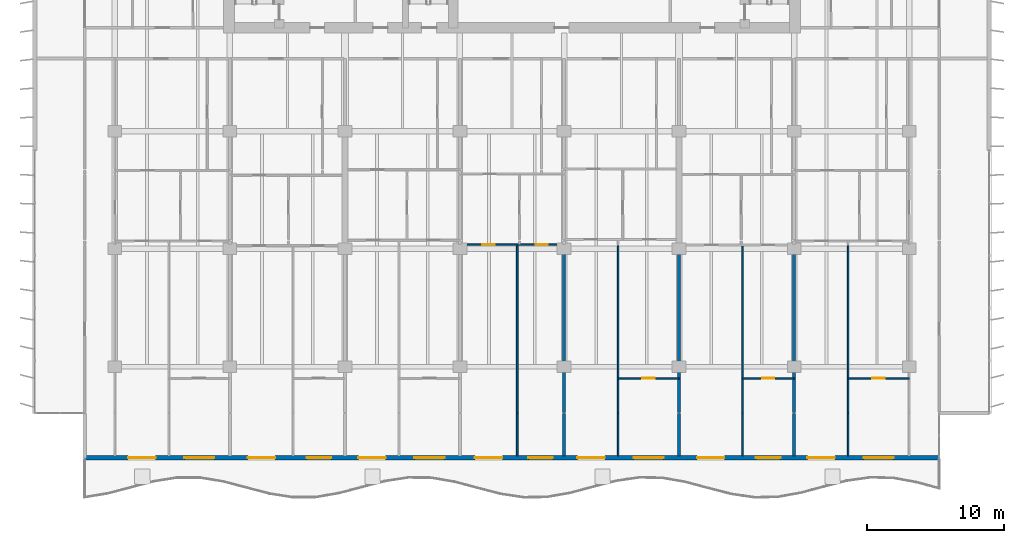
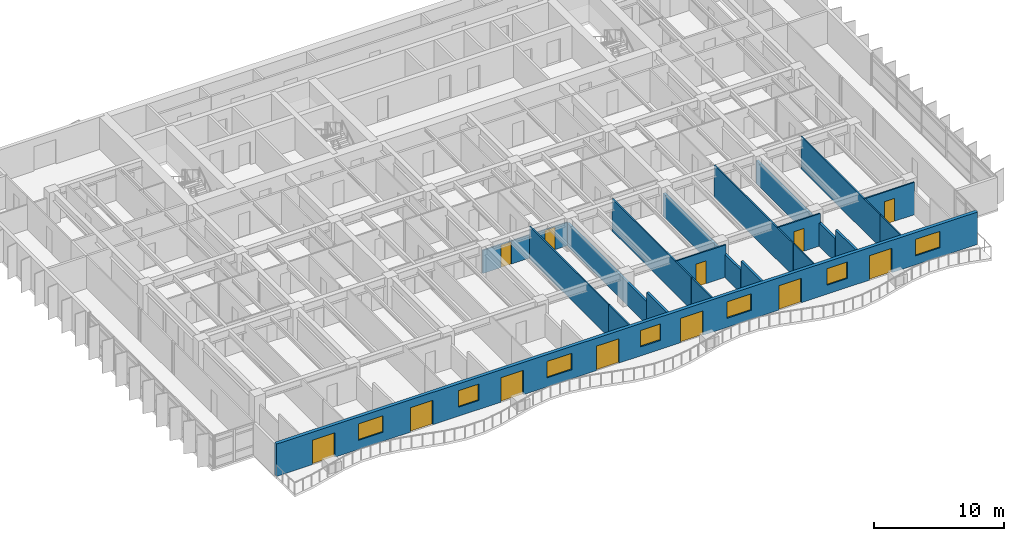
# One storey, part 8 of 18: 19 walls, 12 doors, 7 windows, 19 openings.
"""IFC4 building model written with IfcOpenShell, lengths in metres."""

from ifc_helpers import new_model, si_unit, direction, frame, frame_2d, origin, place, context, subcontext, project, spatial, rectangle, extrude, material, layer, layer_set, type_object, element, fill, save


model = new_model("IFC4")

# Units and contexts
model_context = context("Model", 3, precision=1e-05, world=origin(), true_north=direction((0.0, 1.0)))
body_context = subcontext(model_context, "Body", "Model", "MODEL_VIEW")
ifc_project = project(units=[si_unit("LENGTHUNIT", "METRE"), si_unit("AREAUNIT", "SQUARE_METRE"), si_unit("VOLUMEUNIT", "CUBIC_METRE"), si_unit("PLANEANGLEUNIT", "RADIAN"), si_unit("MASSUNIT", "GRAM", prefix="KILO")], contexts=[model_context])

# Site, building, storey
site_placement = place(None, origin())
site = spatial("IfcSite", under=ifc_project, at=site_placement, CompositionType="ELEMENT")
building_placement = place(site_placement, origin())
building = spatial("IfcBuilding", under=site, at=building_placement, Name="Caelmar Bay Residences", CompositionType="ELEMENT")
storey_placement = place(building_placement, frame((0.0, 0.0, 125.699951171875)))
storey = spatial("IfcBuildingStorey", under=building, at=storey_placement, Name="L34", CompositionType="ELEMENT", Elevation=125.699951171875)

# Wall, openings, doors, windows
ifc_material_1 = material(Name="Precast concrete f'c 40 MPa (6,000 psi)", Category="concrete")
ifc_layer_1 = layer(ifc_material_1, 0.300048828125)
ifc_layer_set_1 = layer_set([ifc_layer_1], Name="Precast concrete f'c 40 MPa (6,000 psi)")
wall_type_1 = type_object("IfcWallType", Name="W-EXT-300", PredefinedType="STANDARD", material=ifc_layer_set_1)
wall_1_placement = place(storey_placement, frame((70.10009765625, 5.550048828125, 0.0), z_axis=(0.0, 0.0, 1.0), x_axis=(-1.0, 0.0, 0.0)))
wall_1 = element("IfcWall", 1, at=wall_1_placement, inside=storey, type_object=wall_type_1, Name="L34 South Bayfront Exterior Wall", PredefinedType="STANDARD", context=body_context, shape_type="SweptSolid", body=[
    extrude(rectangle(XDim=62.400146484375, YDim=0.300048828125, at=frame_2d((31.2001953125, 0.0))), origin(), (0.0, 0.0, 1.0), 3.050048828125),
])
opening_1_placement = place(wall_1_placement, frame((57.22607421875, 0.0, 0.0)))
opening_1 = element("IfcOpeningElement", 2, at=opening_1_placement, cuts=wall_1, Name="Opening L34-BD01", PredefinedType="OPENING", context=body_context, shape_type="SweptSolid", body=[
    extrude(rectangle(XDim=2.0, YDim=2.300048828125, at=frame_2d((1.0, 1.14990234375))), frame((0.0, 0.159912109375, 0.0), z_axis=(0.0, -1.0, 0.0), x_axis=(1.0, 0.0, 0.0)), (0.0, 0.0, 1.0), 0.320068359375),
])
opening_2_placement = place(wall_1_placement, frame((52.926025390625, 0.0, 0.85009765625)))
opening_2 = element("IfcOpeningElement", 3, at=opening_2_placement, cuts=wall_1, Name="Opening WN2", PredefinedType="OPENING", context=body_context, shape_type="SweptSolid", body=[
    extrude(rectangle(XDim=2.199951171875, YDim=1.550048828125, at=frame_2d((1.10009765625, 0.77490234375))), frame((0.0, 0.159912109375, 0.0), z_axis=(0.0, -1.0, 0.0), x_axis=(1.0, 0.0, 0.0)), (0.0, 0.0, 1.0), 0.320068359375),
])
opening_3_placement = place(wall_1_placement, frame((48.489990234375, 0.0, 0.0)))
opening_3 = element("IfcOpeningElement", 4, at=opening_3_placement, cuts=wall_1, Name="Opening L34-BD02", PredefinedType="OPENING", context=body_context, shape_type="SweptSolid", body=[
    extrude(rectangle(XDim=2.0, YDim=2.300048828125, at=frame_2d((1.0, 1.14990234375))), frame((0.0, 0.159912109375, 0.0), z_axis=(0.0, -1.0, 0.0), x_axis=(1.0, 0.0, 0.0)), (0.0, 0.0, 1.0), 0.320068359375),
])
opening_4_placement = place(wall_1_placement, frame((44.389892578125, 0.0, 0.85009765625)))
opening_4 = element("IfcOpeningElement", 5, at=opening_4_placement, cuts=wall_1, Name="Opening WN1", PredefinedType="OPENING", context=body_context, shape_type="SweptSolid", body=[
    extrude(rectangle(XDim=1.800048828125, YDim=1.550048828125, at=frame_2d((0.89990234375, 0.77490234375))), frame((0.0, 0.159912109375, 0.0), z_axis=(0.0, -1.0, 0.0), x_axis=(1.0, 0.0, 0.0)), (0.0, 0.0, 1.0), 0.320068359375),
])
opening_5_placement = place(wall_1_placement, frame((40.426025390625, 0.0, 0.0)))
opening_5 = element("IfcOpeningElement", 6, at=opening_5_placement, cuts=wall_1, Name="Opening L34-BD03", PredefinedType="OPENING", context=body_context, shape_type="SweptSolid", body=[
    extrude(rectangle(XDim=2.0, YDim=2.300048828125, at=frame_2d((1.0, 1.14990234375))), frame((0.0, 0.159912109375, 0.0), z_axis=(0.0, -1.0, 0.0), x_axis=(1.0, 0.0, 0.0)), (0.0, 0.0, 1.0), 0.320068359375),
])
opening_6_placement = place(wall_1_placement, frame((36.1259765625, 0.0, 0.85009765625)))
opening_6 = element("IfcOpeningElement", 7, at=opening_6_placement, cuts=wall_1, Name="Opening WN2", PredefinedType="OPENING", context=body_context, shape_type="SweptSolid", body=[
    extrude(rectangle(XDim=2.199951171875, YDim=1.550048828125, at=frame_2d((1.10009765625, 0.77490234375))), frame((0.0, 0.159912109375, 0.0), z_axis=(0.0, -1.0, 0.0), x_axis=(1.0, 0.0, 0.0)), (0.0, 0.0, 1.0), 0.320068359375),
])
opening_7_placement = place(wall_1_placement, frame((31.909912109375, 0.0, 0.0)))
opening_7 = element("IfcOpeningElement", 8, at=opening_7_placement, cuts=wall_1, Name="Opening L34-BD04", PredefinedType="OPENING", context=body_context, shape_type="SweptSolid", body=[
    extrude(rectangle(XDim=2.0, YDim=2.300048828125, at=frame_2d((1.0, 1.14990234375))), frame((0.0, 0.159912109375, 0.0), z_axis=(0.0, -1.0, 0.0), x_axis=(1.0, 0.0, 0.0)), (0.0, 0.0, 1.0), 0.320068359375),
])
opening_8_placement = place(wall_1_placement, frame((28.2099609375, 0.0, 0.85009765625)))
opening_8 = element("IfcOpeningElement", 9, at=opening_8_placement, cuts=wall_1, Name="Opening WN1", PredefinedType="OPENING", context=body_context, shape_type="SweptSolid", body=[
    extrude(rectangle(XDim=1.800048828125, YDim=1.550048828125, at=frame_2d((0.89990234375, 0.77490234375))), frame((0.0, 0.159912109375, 0.0), z_axis=(0.0, -1.0, 0.0), x_axis=(1.0, 0.0, 0.0)), (0.0, 0.0, 1.0), 0.320068359375),
])
opening_9_placement = place(wall_1_placement, frame((24.426025390625, 0.0, 0.0)))
opening_9 = element("IfcOpeningElement", 10, at=opening_9_placement, cuts=wall_1, Name="Opening L34-BD05", PredefinedType="OPENING", context=body_context, shape_type="SweptSolid", body=[
    extrude(rectangle(XDim=2.0, YDim=2.300048828125, at=frame_2d((1.0, 1.14990234375))), frame((0.0, 0.159912109375, 0.0), z_axis=(0.0, -1.0, 0.0), x_axis=(1.0, 0.0, 0.0)), (0.0, 0.0, 1.0), 0.320068359375),
])
opening_10_placement = place(wall_1_placement, frame((20.1259765625, 0.0, 0.85009765625)))
opening_10 = element("IfcOpeningElement", 11, at=opening_10_placement, cuts=wall_1, Name="Opening WN2", PredefinedType="OPENING", context=body_context, shape_type="SweptSolid", body=[
    extrude(rectangle(XDim=2.199951171875, YDim=1.550048828125, at=frame_2d((1.10009765625, 0.77490234375))), frame((0.0, 0.159912109375, 0.0), z_axis=(0.0, -1.0, 0.0), x_axis=(1.0, 0.0, 0.0)), (0.0, 0.0, 1.0), 0.320068359375),
])
opening_11_placement = place(wall_1_placement, frame((15.68994140625, 0.0, 0.0)))
opening_11 = element("IfcOpeningElement", 12, at=opening_11_placement, cuts=wall_1, Name="Opening L34-BD06", PredefinedType="OPENING", context=body_context, shape_type="SweptSolid", body=[
    extrude(rectangle(XDim=2.0, YDim=2.300048828125, at=frame_2d((1.0, 1.14990234375))), frame((0.0, 0.159912109375, 0.0), z_axis=(0.0, -1.0, 0.0), x_axis=(1.0, 0.0, 0.0)), (0.0, 0.0, 1.0), 0.320068359375),
])
opening_12_placement = place(wall_1_placement, frame((11.590087890625, 0.0, 0.85009765625)))
opening_12 = element("IfcOpeningElement", 13, at=opening_12_placement, cuts=wall_1, Name="Opening WN1", PredefinedType="OPENING", context=body_context, shape_type="SweptSolid", body=[
    extrude(rectangle(XDim=1.800048828125, YDim=1.550048828125, at=frame_2d((0.89990234375, 0.77490234375))), frame((0.0, 0.159912109375, 0.0), z_axis=(0.0, -1.0, 0.0), x_axis=(1.0, 0.0, 0.0)), (0.0, 0.0, 1.0), 0.320068359375),
])
opening_13_placement = place(wall_1_placement, frame((7.6259765625, 0.0, 0.0)))
opening_13 = element("IfcOpeningElement", 14, at=opening_13_placement, cuts=wall_1, Name="Opening L34-BD07", PredefinedType="OPENING", context=body_context, shape_type="SweptSolid", body=[
    extrude(rectangle(XDim=2.0, YDim=2.300048828125, at=frame_2d((1.0, 1.14990234375))), frame((0.0, 0.159912109375, 0.0), z_axis=(0.0, -1.0, 0.0), x_axis=(1.0, 0.0, 0.0)), (0.0, 0.0, 1.0), 0.320068359375),
])
opening_14_placement = place(wall_1_placement, frame((3.325927734375, 0.0, 0.85009765625)))
opening_14 = element("IfcOpeningElement", 15, at=opening_14_placement, cuts=wall_1, Name="Opening WN2", PredefinedType="OPENING", context=body_context, shape_type="SweptSolid", body=[
    extrude(rectangle(XDim=2.199951171875, YDim=1.550048828125, at=frame_2d((1.10009765625, 0.77490234375))), frame((0.0, 0.159912109375, 0.0), z_axis=(0.0, -1.0, 0.0), x_axis=(1.0, 0.0, 0.0)), (0.0, 0.0, 1.0), 0.320068359375),
])
ifc_material_2 = material(Name="Anodised bronze thermally broken sliding glass door", Category="glass")
ifc_layer_2 = layer(ifc_material_2, 0.050048828125)
ifc_layer_set_2 = layer_set([ifc_layer_2], Name="Anodised bronze thermally broken sliding glass door")
door_type_1 = type_object("IfcDoorType", Name="D-BAL-2000", OperationType="DOUBLE_DOOR_SLIDING", PredefinedType="DOOR", material=ifc_layer_set_2)
door_1_placement = place(opening_1_placement, origin())
door_1 = element("IfcDoor", 16, at=door_1_placement, inside=storey, type_object=door_type_1, Name="L34 Residence 01 Living Room Balcony Door", OperationType="DOUBLE_DOOR_SLIDING", OverallHeight=2.300048828125, OverallWidth=2.0, PredefinedType="DOOR", context=body_context, shape_type="SweptSolid", body=[
    extrude(rectangle(XDim=2.0, YDim=2.300048828125, at=frame_2d((1.0, 1.14990234375))), frame((0.0, 0.02490234375, 0.0), z_axis=(0.0, -1.0, 0.0), x_axis=(1.0, 0.0, 0.0)), (0.0, 0.0, 1.0), 0.050048828125),
])
fill(opening_1, door_1)
door_2_placement = place(opening_3_placement, origin())
door_2 = element("IfcDoor", 17, at=door_2_placement, inside=storey, type_object=door_type_1, Name="L34 Residence 02 Living Room Balcony Door", OperationType="DOUBLE_DOOR_SLIDING", OverallHeight=2.300048828125, OverallWidth=2.0, PredefinedType="DOOR", context=body_context, shape_type="SweptSolid", body=[
    extrude(rectangle(XDim=2.0, YDim=2.300048828125, at=frame_2d((1.0, 1.14990234375))), frame((0.0, 0.02490234375, 0.0), z_axis=(0.0, -1.0, 0.0), x_axis=(1.0, 0.0, 0.0)), (0.0, 0.0, 1.0), 0.050048828125),
])
fill(opening_3, door_2)
door_3_placement = place(opening_5_placement, origin())
door_3 = element("IfcDoor", 18, at=door_3_placement, inside=storey, type_object=door_type_1, Name="L34 Residence 03 Living Room Balcony Door", OperationType="DOUBLE_DOOR_SLIDING", OverallHeight=2.300048828125, OverallWidth=2.0, PredefinedType="DOOR", context=body_context, shape_type="SweptSolid", body=[
    extrude(rectangle(XDim=2.0, YDim=2.300048828125, at=frame_2d((1.0, 1.14990234375))), frame((0.0, 0.02490234375, 0.0), z_axis=(0.0, -1.0, 0.0), x_axis=(1.0, 0.0, 0.0)), (0.0, 0.0, 1.0), 0.050048828125),
])
fill(opening_5, door_3)
door_4_placement = place(opening_7_placement, origin())
door_4 = element("IfcDoor", 19, at=door_4_placement, inside=storey, type_object=door_type_1, Name="L34 Residence 04 Living Room Balcony Door", OperationType="DOUBLE_DOOR_SLIDING", OverallHeight=2.300048828125, OverallWidth=2.0, PredefinedType="DOOR", context=body_context, shape_type="SweptSolid", body=[
    extrude(rectangle(XDim=2.0, YDim=2.300048828125, at=frame_2d((1.0, 1.14990234375))), frame((0.0, 0.02490234375, 0.0), z_axis=(0.0, -1.0, 0.0), x_axis=(1.0, 0.0, 0.0)), (0.0, 0.0, 1.0), 0.050048828125),
])
fill(opening_7, door_4)
door_5_placement = place(opening_9_placement, origin())
door_5 = element("IfcDoor", 20, at=door_5_placement, inside=storey, type_object=door_type_1, Name="L34 Residence 05 Living Room Balcony Door", OperationType="DOUBLE_DOOR_SLIDING", OverallHeight=2.300048828125, OverallWidth=2.0, PredefinedType="DOOR", context=body_context, shape_type="SweptSolid", body=[
    extrude(rectangle(XDim=2.0, YDim=2.300048828125, at=frame_2d((1.0, 1.14990234375))), frame((0.0, 0.02490234375, 0.0), z_axis=(0.0, -1.0, 0.0), x_axis=(1.0, 0.0, 0.0)), (0.0, 0.0, 1.0), 0.050048828125),
])
fill(opening_9, door_5)
door_6_placement = place(opening_11_placement, origin())
door_6 = element("IfcDoor", 21, at=door_6_placement, inside=storey, type_object=door_type_1, Name="L34 Residence 06 Living Room Balcony Door", OperationType="DOUBLE_DOOR_SLIDING", OverallHeight=2.300048828125, OverallWidth=2.0, PredefinedType="DOOR", context=body_context, shape_type="SweptSolid", body=[
    extrude(rectangle(XDim=2.0, YDim=2.300048828125, at=frame_2d((1.0, 1.14990234375))), frame((0.0, 0.02490234375, 0.0), z_axis=(0.0, -1.0, 0.0), x_axis=(1.0, 0.0, 0.0)), (0.0, 0.0, 1.0), 0.050048828125),
])
fill(opening_11, door_6)
door_7_placement = place(opening_13_placement, origin())
door_7 = element("IfcDoor", 22, at=door_7_placement, inside=storey, type_object=door_type_1, Name="L34 Residence 07 Living Room Balcony Door", OperationType="DOUBLE_DOOR_SLIDING", OverallHeight=2.300048828125, OverallWidth=2.0, PredefinedType="DOOR", context=body_context, shape_type="SweptSolid", body=[
    extrude(rectangle(XDim=2.0, YDim=2.300048828125, at=frame_2d((1.0, 1.14990234375))), frame((0.0, 0.02490234375, 0.0), z_axis=(0.0, -1.0, 0.0), x_axis=(1.0, 0.0, 0.0)), (0.0, 0.0, 1.0), 0.050048828125),
])
fill(opening_13, door_7)
ifc_material_3 = material(Name="Bronze aluminium frame with laminated low-E glass", Category="aluminium")
ifc_layer_3 = layer(ifc_material_3, 0.06005859375)
ifc_layer_set_3 = layer_set([ifc_layer_3], Name="Bronze aluminium frame with laminated low-E glass")
window_type_1 = type_object("IfcWindowType", Name="WIN-BR-1800", PartitioningType="SINGLE_PANEL", PredefinedType="WINDOW", material=ifc_layer_set_3)
window_1_placement = place(opening_4_placement, origin())
window_1 = element("IfcWindow", 23, at=window_1_placement, inside=storey, type_object=window_type_1, Name="L34 Residence 02 Primary Bedroom Window", OverallHeight=1.550048828125, OverallWidth=1.800048828125, PartitioningType="SINGLE_PANEL", PredefinedType="WINDOW", context=body_context, shape_type="SweptSolid", body=[
    extrude(rectangle(XDim=1.800048828125, YDim=1.550048828125, at=frame_2d((0.89990234375, 0.77490234375))), frame((0.0, 0.030029296875, 0.0), z_axis=(0.0, -1.0, 0.0), x_axis=(1.0, 0.0, 0.0)), (0.0, 0.0, 1.0), 0.06005859375),
])
fill(opening_4, window_1)
window_2_placement = place(opening_8_placement, origin())
window_2 = element("IfcWindow", 24, at=window_2_placement, inside=storey, type_object=window_type_1, Name="L34 Residence 04 Primary Bedroom Window", OverallHeight=1.550048828125, OverallWidth=1.800048828125, PartitioningType="SINGLE_PANEL", PredefinedType="WINDOW", context=body_context, shape_type="SweptSolid", body=[
    extrude(rectangle(XDim=1.800048828125, YDim=1.550048828125, at=frame_2d((0.89990234375, 0.77490234375))), frame((0.0, 0.030029296875, 0.0), z_axis=(0.0, -1.0, 0.0), x_axis=(1.0, 0.0, 0.0)), (0.0, 0.0, 1.0), 0.06005859375),
])
fill(opening_8, window_2)
window_3_placement = place(opening_12_placement, origin())
window_3 = element("IfcWindow", 25, at=window_3_placement, inside=storey, type_object=window_type_1, Name="L34 Residence 06 Primary Bedroom Window", OverallHeight=1.550048828125, OverallWidth=1.800048828125, PartitioningType="SINGLE_PANEL", PredefinedType="WINDOW", context=body_context, shape_type="SweptSolid", body=[
    extrude(rectangle(XDim=1.800048828125, YDim=1.550048828125, at=frame_2d((0.89990234375, 0.77490234375))), frame((0.0, 0.030029296875, 0.0), z_axis=(0.0, -1.0, 0.0), x_axis=(1.0, 0.0, 0.0)), (0.0, 0.0, 1.0), 0.06005859375),
])
fill(opening_12, window_3)
ifc_layer_4 = layer(ifc_material_3, 0.06005859375)
ifc_layer_set_4 = layer_set([ifc_layer_4], Name="Bronze aluminium frame with laminated low-E glass")
window_type_2 = type_object("IfcWindowType", Name="WIN-BR-2200", PartitioningType="SINGLE_PANEL", PredefinedType="WINDOW", material=ifc_layer_set_4)
window_4_placement = place(opening_2_placement, origin())
window_4 = element("IfcWindow", 26, at=window_4_placement, inside=storey, type_object=window_type_2, Name="L34 Residence 01 Primary Bedroom Window", OverallHeight=1.550048828125, OverallWidth=2.199951171875, PartitioningType="SINGLE_PANEL", PredefinedType="WINDOW", context=body_context, shape_type="SweptSolid", body=[
    extrude(rectangle(XDim=2.199951171875, YDim=1.550048828125, at=frame_2d((1.10009765625, 0.77490234375))), frame((0.0, 0.030029296875, 0.0), z_axis=(0.0, -1.0, 0.0), x_axis=(1.0, 0.0, 0.0)), (0.0, 0.0, 1.0), 0.06005859375),
])
fill(opening_2, window_4)
window_5_placement = place(opening_6_placement, origin())
window_5 = element("IfcWindow", 27, at=window_5_placement, inside=storey, type_object=window_type_2, Name="L34 Residence 03 Primary Bedroom Window", OverallHeight=1.550048828125, OverallWidth=2.199951171875, PartitioningType="SINGLE_PANEL", PredefinedType="WINDOW", context=body_context, shape_type="SweptSolid", body=[
    extrude(rectangle(XDim=2.199951171875, YDim=1.550048828125, at=frame_2d((1.10009765625, 0.77490234375))), frame((0.0, 0.030029296875, 0.0), z_axis=(0.0, -1.0, 0.0), x_axis=(1.0, 0.0, 0.0)), (0.0, 0.0, 1.0), 0.06005859375),
])
fill(opening_6, window_5)
window_6_placement = place(opening_10_placement, origin())
window_6 = element("IfcWindow", 28, at=window_6_placement, inside=storey, type_object=window_type_2, Name="L34 Residence 05 Primary Bedroom Window", OverallHeight=1.550048828125, OverallWidth=2.199951171875, PartitioningType="SINGLE_PANEL", PredefinedType="WINDOW", context=body_context, shape_type="SweptSolid", body=[
    extrude(rectangle(XDim=2.199951171875, YDim=1.550048828125, at=frame_2d((1.10009765625, 0.77490234375))), frame((0.0, 0.030029296875, 0.0), z_axis=(0.0, -1.0, 0.0), x_axis=(1.0, 0.0, 0.0)), (0.0, 0.0, 1.0), 0.06005859375),
])
fill(opening_10, window_6)
window_7_placement = place(opening_14_placement, origin())
window_7 = element("IfcWindow", 29, at=window_7_placement, inside=storey, type_object=window_type_2, Name="L34 Residence 07 Primary Bedroom Window", OverallHeight=1.550048828125, OverallWidth=2.199951171875, PartitioningType="SINGLE_PANEL", PredefinedType="WINDOW", context=body_context, shape_type="SweptSolid", body=[
    extrude(rectangle(XDim=2.199951171875, YDim=1.550048828125, at=frame_2d((1.10009765625, 0.77490234375))), frame((0.0, 0.030029296875, 0.0), z_axis=(0.0, -1.0, 0.0), x_axis=(1.0, 0.0, 0.0)), (0.0, 0.0, 1.0), 0.06005859375),
])
fill(opening_14, window_7)

# Walls
ifc_material_4 = material(Name="Acoustic metal-stud gypsum partition 120 mm")
ifc_layer_5 = layer(ifc_material_4, 0.1201171875)
ifc_layer_set_5 = layer_set([ifc_layer_5], Name="Acoustic metal-stud gypsum partition 120 mm")
wall_type_2 = type_object("IfcWallType", Name="W-PRT-120", PredefinedType="PARTITIONING", material=ifc_layer_set_5)
wall_2_placement = place(storey_placement, frame((39.280029296875, 5.695068359375, 0.0), z_axis=(0.0, 0.0, 1.0), x_axis=(0.0, 1.0, 0.0)))
element("IfcWall", 30, at=wall_2_placement, inside=storey, type_object=wall_type_2, Name="L34 Partition Wall V057", PredefinedType="PARTITIONING", context=body_context, shape_type="SweptSolid", body=[
    extrude(rectangle(XDim=3.10498046875, YDim=0.1201171875, at=frame_2d((1.552490234375, 0.0))), origin(), (0.0, 0.0, 1.0), 3.050048828125),
])
wall_3_placement = place(storey_placement, frame((39.280029296875, 8.840087890625, 0.0), z_axis=(0.0, 0.0, 1.0), x_axis=(0.0, 1.0, 0.0)))
element("IfcWall", 31, at=wall_3_placement, inside=storey, type_object=wall_type_2, Name="L34 Partition Wall V058", PredefinedType="PARTITIONING", context=body_context, shape_type="SweptSolid", body=[
    extrude(rectangle(XDim=12.18994140625, YDim=0.1201171875, at=frame_2d((6.094970703125, 0.0))), origin(), (0.0, 0.0, 1.0), 3.050048828125),
])
wall_4_placement = place(storey_placement, frame((46.64794921875, 5.695068359375, 0.0), z_axis=(0.0, 0.0, 1.0), x_axis=(0.0, 1.0, 0.0)))
element("IfcWall", 32, at=wall_4_placement, inside=storey, type_object=wall_type_2, Name="L34 Partition Wall V072", PredefinedType="PARTITIONING", context=body_context, shape_type="SweptSolid", body=[
    extrude(rectangle(XDim=3.10498046875, YDim=0.1201171875, at=frame_2d((1.552490234375, 0.0))), origin(), (0.0, 0.0, 1.0), 3.050048828125),
])
wall_5_placement = place(storey_placement, frame((46.64794921875, 8.840087890625, 0.0), z_axis=(0.0, 0.0, 1.0), x_axis=(0.0, 1.0, 0.0)))
element("IfcWall", 33, at=wall_5_placement, inside=storey, type_object=wall_type_2, Name="L34 Partition Wall V073", PredefinedType="PARTITIONING", context=body_context, shape_type="SweptSolid", body=[
    extrude(rectangle(XDim=12.18994140625, YDim=0.1201171875, at=frame_2d((6.094970703125, 0.0))), origin(), (0.0, 0.0, 1.0), 3.050048828125),
])
wall_6_placement = place(storey_placement, frame((55.719970703125, 5.695068359375, 0.0), z_axis=(0.0, 0.0, 1.0), x_axis=(0.0, 1.0, 0.0)))
element("IfcWall", 34, at=wall_6_placement, inside=storey, type_object=wall_type_2, Name="L34 Partition Wall V088", PredefinedType="PARTITIONING", context=body_context, shape_type="SweptSolid", body=[
    extrude(rectangle(XDim=3.10498046875, YDim=0.1201171875, at=frame_2d((1.552490234375, 0.0))), origin(), (0.0, 0.0, 1.0), 3.050048828125),
])
wall_7_placement = place(storey_placement, frame((55.719970703125, 8.840087890625, 0.0), z_axis=(0.0, 0.0, 1.0), x_axis=(0.0, 1.0, 0.0)))
element("IfcWall", 35, at=wall_7_placement, inside=storey, type_object=wall_type_2, Name="L34 Partition Wall V089", PredefinedType="PARTITIONING", context=body_context, shape_type="SweptSolid", body=[
    extrude(rectangle(XDim=12.18994140625, YDim=0.1201171875, at=frame_2d((6.094970703125, 0.0))), origin(), (0.0, 0.0, 1.0), 3.050048828125),
])
wall_8_placement = place(storey_placement, frame((63.447998046875, 5.695068359375, 0.0), z_axis=(0.0, 0.0, 1.0), x_axis=(0.0, 1.0, 0.0)))
element("IfcWall", 36, at=wall_8_placement, inside=storey, type_object=wall_type_2, Name="L34 Partition Wall V100", PredefinedType="PARTITIONING", context=body_context, shape_type="SweptSolid", body=[
    extrude(rectangle(XDim=3.10498046875, YDim=0.1201171875, at=frame_2d((1.552490234375, 0.0))), origin(), (0.0, 0.0, 1.0), 3.050048828125),
])
wall_9_placement = place(storey_placement, frame((63.447998046875, 8.840087890625, 0.0), z_axis=(0.0, 0.0, 1.0), x_axis=(0.0, 1.0, 0.0)))
element("IfcWall", 37, at=wall_9_placement, inside=storey, type_object=wall_type_2, Name="L34 Partition Wall V101", PredefinedType="PARTITIONING", context=body_context, shape_type="SweptSolid", body=[
    extrude(rectangle(XDim=12.18994140625, YDim=0.1201171875, at=frame_2d((6.094970703125, 0.0))), origin(), (0.0, 0.0, 1.0), 3.050048828125),
])

# Wall, opening, door
wall_10_placement = place(storey_placement, frame((46.64794921875, 11.35009765625, 0.0), z_axis=(0.0, 0.0, 1.0), x_axis=(1.0, 0.0, 0.0)))
wall_10 = element("IfcWall", 38, at=wall_10_placement, inside=storey, type_object=wall_type_2, Name="L34 Partition Wall H124", PredefinedType="PARTITIONING", context=body_context, shape_type="SweptSolid", body=[
    extrude(rectangle(XDim=4.4521484375, YDim=0.1201171875, at=frame_2d((2.22607421875, 0.0))), origin(), (0.0, 0.0, 1.0), 3.050048828125),
])
opening_15_placement = place(wall_10_placement, frame((1.77587890625, 0.0, 0.0)))
opening_15 = element("IfcOpeningElement", 39, at=opening_15_placement, cuts=wall_10, Name="Opening D-L34-157", PredefinedType="OPENING", context=body_context, shape_type="SweptSolid", body=[
    extrude(rectangle(XDim=0.89990234375, YDim=2.14990234375, at=frame_2d((0.449951171875, 1.074951171875))), frame((0.0, 0.070068359375, 0.0), z_axis=(0.0, -1.0, 0.0), x_axis=(1.0, 0.0, 0.0)), (0.0, 0.0, 1.0), 0.14013671875),
])
ifc_material_5 = material(Name="Solid walnut timber interior door leaf and frame", Category="wood")
ifc_layer_6 = layer(ifc_material_5, 0.050048828125)
ifc_layer_set_6 = layer_set([ifc_layer_6], Name="Solid walnut timber interior door leaf and frame")
door_type_2 = type_object("IfcDoorType", Name="D-ROOM-900", OperationType="NOTDEFINED", PredefinedType="DOOR", material=ifc_layer_set_6)
door_8_placement = place(opening_15_placement, origin())
door_8 = element("IfcDoor", 40, at=door_8_placement, inside=storey, type_object=door_type_2, Name="L34 Residence 05 Primary Bedroom Door", OperationType="SINGLE_SWING_RIGHT", OverallHeight=2.14990234375, OverallWidth=0.89990234375, PredefinedType="DOOR", context=body_context, shape_type="SweptSolid", body=[
    extrude(rectangle(XDim=0.89990234375, YDim=2.14990234375, at=frame_2d((0.449951171875, 1.074951171875))), frame((0.0, 0.02490234375, 0.0), z_axis=(0.0, -1.0, 0.0), x_axis=(1.0, 0.0, 0.0)), (0.0, 0.0, 1.0), 0.050048828125),
])
fill(opening_15, door_8)

wall_11_placement = place(storey_placement, frame((55.719970703125, 11.35009765625, 0.0), z_axis=(0.0, 0.0, 1.0), x_axis=(1.0, 0.0, 0.0)))
wall_11 = element("IfcWall", 41, at=wall_11_placement, inside=storey, type_object=wall_type_2, Name="L34 Partition Wall H125", PredefinedType="PARTITIONING", context=body_context, shape_type="SweptSolid", body=[
    extrude(rectangle(XDim=3.780029296875, YDim=0.1201171875, at=frame_2d((1.89013671875, 0.0))), origin(), (0.0, 0.0, 1.0), 3.050048828125),
])
opening_16_placement = place(wall_11_placement, frame((1.43994140625, 0.0, 0.0)))
opening_16 = element("IfcOpeningElement", 42, at=opening_16_placement, cuts=wall_11, Name="Opening D-L34-164", PredefinedType="OPENING", context=body_context, shape_type="SweptSolid", body=[
    extrude(rectangle(XDim=0.89990234375, YDim=2.14990234375, at=frame_2d((0.449951171875, 1.074951171875))), frame((0.0, 0.070068359375, 0.0), z_axis=(0.0, -1.0, 0.0), x_axis=(1.0, 0.0, 0.0)), (0.0, 0.0, 1.0), 0.14013671875),
])
door_9_placement = place(opening_16_placement, origin())
door_9 = element("IfcDoor", 43, at=door_9_placement, inside=storey, type_object=door_type_2, Name="L34 Residence 06 Primary Bedroom Door", OperationType="SINGLE_SWING_LEFT", OverallHeight=2.14990234375, OverallWidth=0.89990234375, PredefinedType="DOOR", context=body_context, shape_type="SweptSolid", body=[
    extrude(rectangle(XDim=0.89990234375, YDim=2.14990234375, at=frame_2d((0.449951171875, 1.074951171875))), frame((0.0, 0.02490234375, 0.0), z_axis=(0.0, -1.0, 0.0), x_axis=(1.0, 0.0, 0.0)), (0.0, 0.0, 1.0), 0.050048828125),
])
fill(opening_16, door_9)

wall_12_placement = place(storey_placement, frame((63.447998046875, 11.35009765625, 0.0), z_axis=(0.0, 0.0, 1.0), x_axis=(1.0, 0.0, 0.0)))
wall_12 = element("IfcWall", 44, at=wall_12_placement, inside=storey, type_object=wall_type_2, Name="L34 Partition Wall H126", PredefinedType="PARTITIONING", context=body_context, shape_type="SweptSolid", body=[
    extrude(rectangle(XDim=4.451904296875, YDim=0.1201171875, at=frame_2d((2.22607421875, 0.0))), origin(), (0.0, 0.0, 1.0), 3.050048828125),
])
opening_17_placement = place(wall_12_placement, frame((1.77587890625, 0.0, 0.0)))
opening_17 = element("IfcOpeningElement", 45, at=opening_17_placement, cuts=wall_12, Name="Opening D-L34-171", PredefinedType="OPENING", context=body_context, shape_type="SweptSolid", body=[
    extrude(rectangle(XDim=0.89990234375, YDim=2.14990234375, at=frame_2d((0.449951171875, 1.074951171875))), frame((0.0, 0.070068359375, 0.0), z_axis=(0.0, -1.0, 0.0), x_axis=(1.0, 0.0, 0.0)), (0.0, 0.0, 1.0), 0.14013671875),
])
door_10_placement = place(opening_17_placement, origin())
door_10 = element("IfcDoor", 46, at=door_10_placement, inside=storey, type_object=door_type_2, Name="L34 Residence 07 Primary Bedroom Door", OperationType="SINGLE_SWING_RIGHT", OverallHeight=2.14990234375, OverallWidth=0.89990234375, PredefinedType="DOOR", context=body_context, shape_type="SweptSolid", body=[
    extrude(rectangle(XDim=0.89990234375, YDim=2.14990234375, at=frame_2d((0.449951171875, 1.074951171875))), frame((0.0, 0.02490234375, 0.0), z_axis=(0.0, -1.0, 0.0), x_axis=(1.0, 0.0, 0.0)), (0.0, 0.0, 1.0), 0.050048828125),
])
fill(opening_17, door_10)

# Wall, openings, doors
wall_13_placement = place(storey_placement, frame((35.10009765625, 21.1298828125, 0.0), z_axis=(0.0, 0.0, 1.0), x_axis=(1.0, 0.0, 0.0)))
wall_13 = element("IfcWall", 47, at=wall_13_placement, inside=storey, type_object=wall_type_2, Name="L34 Partition Wall H129", PredefinedType="PARTITIONING", context=body_context, shape_type="SweptSolid", body=[
    extrude(rectangle(XDim=7.599853515625, YDim=0.1201171875, at=frame_2d((3.7998046875, 0.0))), origin(), (0.0, 0.0, 1.0), 2.174072265625),
])
opening_18_placement = place(wall_13_placement, frame((1.639892578125, 0.0, 0.0)))
opening_18 = element("IfcOpeningElement", 48, at=opening_18_placement, cuts=wall_13, Name="Opening D-L34-149", PredefinedType="OPENING", context=body_context, shape_type="SweptSolid", body=[
    extrude(rectangle(XDim=0.89990234375, YDim=2.1240234375, at=frame_2d((0.449951171875, 1.06201171875))), frame((0.0, 0.070068359375, 0.0), z_axis=(0.0, -1.0, 0.0), x_axis=(1.0, 0.0, 0.0)), (0.0, 0.0, 1.0), 0.14013671875),
])
opening_19_placement = place(wall_13_placement, frame((5.527099609375, 0.0, 0.0)))
opening_19 = element("IfcOpeningElement", 49, at=opening_19_placement, cuts=wall_13, Name="Opening D-L34-150", PredefinedType="OPENING", context=body_context, shape_type="SweptSolid", body=[
    extrude(rectangle(XDim=0.89990234375, YDim=2.1240234375, at=frame_2d((0.449951171875, 1.06201171875))), frame((0.0, 0.070068359375, 0.0), z_axis=(0.0, -1.0, 0.0), x_axis=(1.0, 0.0, 0.0)), (0.0, 0.0, 1.0), 0.14013671875),
])
door_11_placement = place(opening_18_placement, origin())
door_11 = element("IfcDoor", 50, at=door_11_placement, inside=storey, type_object=door_type_2, Name="L34 Residence 04 Living Room Door", OperationType="SINGLE_SWING_RIGHT", OverallHeight=2.1240234375, OverallWidth=0.89990234375, PredefinedType="DOOR", context=body_context, shape_type="SweptSolid", body=[
    extrude(rectangle(XDim=0.89990234375, YDim=2.1240234375, at=frame_2d((0.449951171875, 1.06201171875))), frame((0.0, 0.02490234375, 0.0), z_axis=(0.0, -1.0, 0.0), x_axis=(1.0, 0.0, 0.0)), (0.0, 0.0, 1.0), 0.050048828125),
])
fill(opening_18, door_11)
door_12_placement = place(opening_19_placement, origin())
door_12 = element("IfcDoor", 51, at=door_12_placement, inside=storey, type_object=door_type_2, Name="L34 Residence 04 Primary Bedroom Door", OperationType="SINGLE_SWING_LEFT", OverallHeight=2.1240234375, OverallWidth=0.89990234375, PredefinedType="DOOR", context=body_context, shape_type="SweptSolid", body=[
    extrude(rectangle(XDim=0.89990234375, YDim=2.1240234375, at=frame_2d((0.449951171875, 1.06201171875))), frame((0.0, 0.02490234375, 0.0), z_axis=(0.0, -1.0, 0.0), x_axis=(1.0, 0.0, 0.0)), (0.0, 0.0, 1.0), 0.050048828125),
])
fill(opening_19, door_12)

# Walls
ifc_material_6 = material(Name="Acoustic twin-stud fire-rated inter-tenancy partition 200 mm")
ifc_layer_7 = layer(ifc_material_6, 0.199951171875)
ifc_layer_set_7 = layer_set([ifc_layer_7], Name="Acoustic twin-stud fire-rated inter-tenancy partition 200 mm")
wall_type_3 = type_object("IfcWallType", Name="W-PTY-200", PredefinedType="PARTITIONING", material=ifc_layer_set_7)
wall_14_placement = place(storey_placement, frame((42.699951171875, 5.695068359375, 0.0), z_axis=(0.0, 0.0, 1.0), x_axis=(0.0, 1.0, 0.0)))
element("IfcWall", 52, at=wall_14_placement, inside=storey, type_object=wall_type_3, Name="L34 Partition Wall V063", PredefinedType="PARTITIONING", context=body_context, shape_type="SweptSolid", body=[
    extrude(rectangle(XDim=3.10498046875, YDim=0.199951171875, at=frame_2d((1.552490234375, 0.0))), origin(), (0.0, 0.0, 1.0), 3.050048828125),
])
wall_15_placement = place(storey_placement, frame((42.699951171875, 8.840087890625, 0.0), z_axis=(0.0, 0.0, 1.0), x_axis=(0.0, 1.0, 0.0)))
element("IfcWall", 53, at=wall_15_placement, inside=storey, type_object=wall_type_3, Name="L34 Partition Wall V064", PredefinedType="PARTITIONING", context=body_context, shape_type="SweptSolid", body=[
    extrude(rectangle(XDim=12.18994140625, YDim=0.199951171875, at=frame_2d((6.094970703125, 0.0))), origin(), (0.0, 0.0, 1.0), 2.174072265625),
])
wall_16_placement = place(storey_placement, frame((51.10009765625, 5.695068359375, 0.0), z_axis=(0.0, 0.0, 1.0), x_axis=(0.0, 1.0, 0.0)))
element("IfcWall", 54, at=wall_16_placement, inside=storey, type_object=wall_type_3, Name="L34 Partition Wall V081", PredefinedType="PARTITIONING", context=body_context, shape_type="SweptSolid", body=[
    extrude(rectangle(XDim=3.10498046875, YDim=0.199951171875, at=frame_2d((1.552490234375, 0.0))), origin(), (0.0, 0.0, 1.0), 3.050048828125),
])
wall_17_placement = place(storey_placement, frame((51.10009765625, 8.840087890625, 0.0), z_axis=(0.0, 0.0, 1.0), x_axis=(0.0, 1.0, 0.0)))
element("IfcWall", 55, at=wall_17_placement, inside=storey, type_object=wall_type_3, Name="L34 Partition Wall V082", PredefinedType="PARTITIONING", context=body_context, shape_type="SweptSolid", body=[
    extrude(rectangle(XDim=11.954833984375, YDim=0.199951171875, at=frame_2d((5.9775390625, 0.0))), origin(), (0.0, 0.0, 1.0), 2.174072265625),
])
wall_18_placement = place(storey_placement, frame((59.5, 5.695068359375, 0.0), z_axis=(0.0, 0.0, 1.0), x_axis=(0.0, 1.0, 0.0)))
element("IfcWall", 56, at=wall_18_placement, inside=storey, type_object=wall_type_3, Name="L34 Partition Wall V093", PredefinedType="PARTITIONING", context=body_context, shape_type="SweptSolid", body=[
    extrude(rectangle(XDim=3.10498046875, YDim=0.199951171875, at=frame_2d((1.552490234375, 0.0))), origin(), (0.0, 0.0, 1.0), 3.050048828125),
])
wall_19_placement = place(storey_placement, frame((59.5, 8.840087890625, 0.0), z_axis=(0.0, 0.0, 1.0), x_axis=(0.0, 1.0, 0.0)))
element("IfcWall", 57, at=wall_19_placement, inside=storey, type_object=wall_type_3, Name="L34 Partition Wall V094", PredefinedType="PARTITIONING", context=body_context, shape_type="SweptSolid", body=[
    extrude(rectangle(XDim=12.18994140625, YDim=0.199951171875, at=frame_2d((6.094970703125, 0.0))), origin(), (0.0, 0.0, 1.0), 2.174072265625),
])

save(model, "model.ifc")
